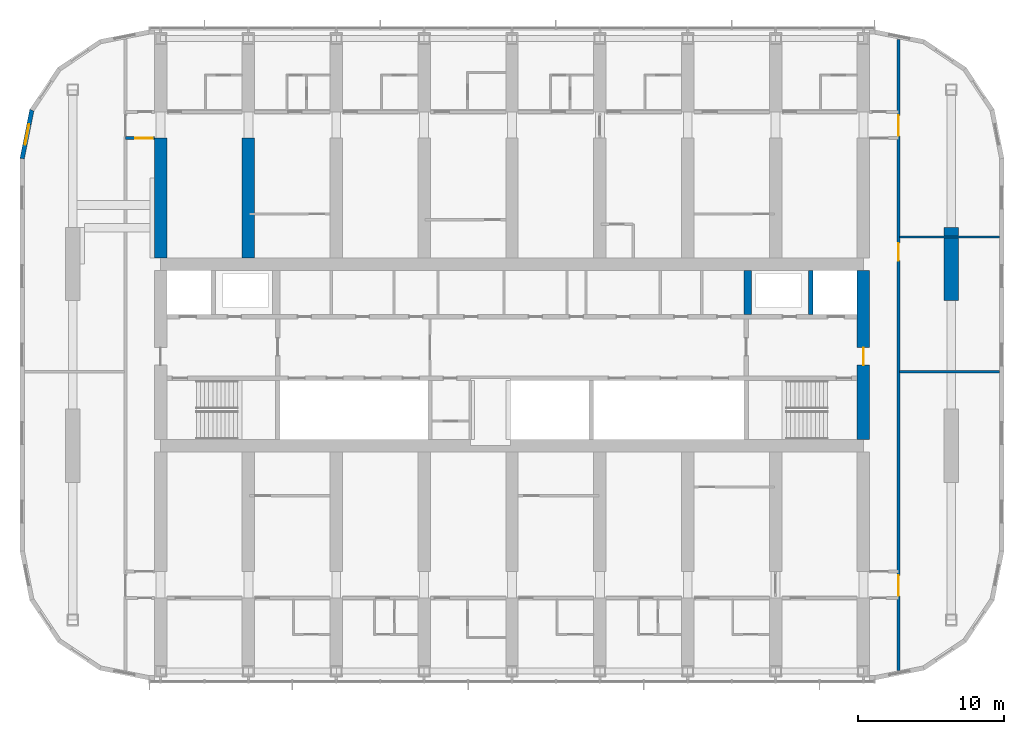
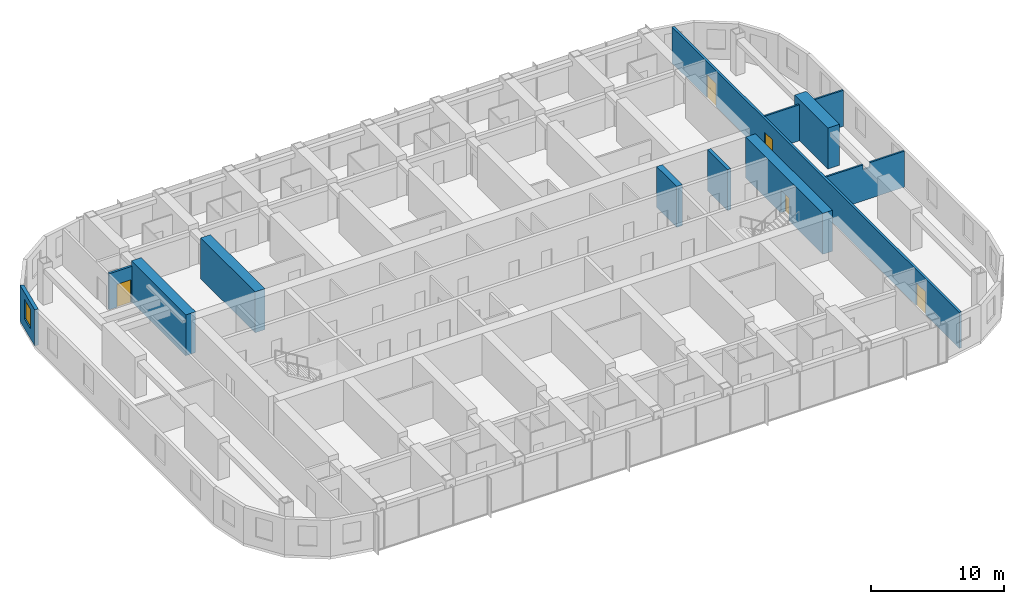
# One storey, part 14 of 22: 11 walls, 5 doors, 1 window, 6 openings.
"""IFC4 building model written with IfcOpenShell, lengths in metres."""

from ifc_helpers import new_model, si_unit, direction, frame, frame_2d, origin, place, context, subcontext, project, spatial, polyline, rectangle, outline, extrude, material, layer, layer_set, type_object, element, fill, save


model = new_model("IFC4")

# Units and contexts
model_context = context("Model", 3, precision=1e-05, world=origin(), true_north=direction((0.0, 1.0)))
body_context = subcontext(model_context, "Body", "Model", "MODEL_VIEW")
ifc_project = project(units=[si_unit("LENGTHUNIT", "METRE"), si_unit("AREAUNIT", "SQUARE_METRE"), si_unit("VOLUMEUNIT", "CUBIC_METRE"), si_unit("PLANEANGLEUNIT", "RADIAN"), si_unit("MASSUNIT", "GRAM", prefix="KILO")], contexts=[model_context])

# Site, building, storey
site_placement = place(None, origin())
site = spatial("IfcSite", under=ifc_project, at=site_placement, CompositionType="ELEMENT")
building_placement = place(site_placement, origin())
building = spatial("IfcBuilding", under=site, at=building_placement, Name="Orbita Commons", CompositionType="ELEMENT")
storey_placement = place(building_placement, frame((0.0, 0.0, 144.85009765625)))
storey = spatial("IfcBuildingStorey", under=building, at=storey_placement, Name="L35", CompositionType="ELEMENT", Elevation=144.85009765625)

# Walls
ifc_material_1 = material(Name="Concrete C50/60", Category="concrete")
ifc_layer_1 = layer(ifc_material_1, 0.300048828125)
ifc_layer_set_1 = layer_set([ifc_layer_1], Name="Concrete C50/60")
wall_type_1 = type_object("IfcWallType", Name="Core inner wall 300 C50/60", PredefinedType="SHEAR", material=ifc_layer_set_1)
wall_1_placement = place(storey_placement, frame((62.39990234375, 34.75, 0.0), z_axis=(0.0, 0.0, 1.0), x_axis=(0.0, 1.0, 0.0)))
element("IfcWall", 1, at=wall_1_placement, inside=storey, type_object=wall_type_1, Name="Firefighting lift FL2 shaft wall L35", PredefinedType="SHEAR", context=body_context, shape_type="SweptSolid", body=[
    extrude(rectangle(XDim=3.02490234375, YDim=0.300048828125, at=frame_2d((1.512451171875, 0.0))), origin(), (0.0, 0.0, 1.0), 3.75),
])
ifc_material_2 = material(Name="Concrete C50/60", Category="concrete")
ifc_layer_2 = layer(ifc_material_2, 0.5)
ifc_layer_set_2 = layer_set([ifc_layer_2], Name="Concrete C50/60")
wall_type_2 = type_object("IfcWallType", Name="Core inner wall 500 C50/60", PredefinedType="SHEAR", material=ifc_layer_set_2)
wall_2_placement = place(storey_placement, frame((58.10009765625, 34.75, 0.0), z_axis=(0.0, 0.0, 1.0), x_axis=(0.0, 1.0, 0.0)))
element("IfcWall", 2, at=wall_2_placement, inside=storey, type_object=wall_type_2, Name="Riser wall east L35", PredefinedType="SHEAR", context=body_context, shape_type="SweptSolid", body=[
    extrude(rectangle(XDim=3.02490234375, YDim=0.5, at=frame_2d((1.512451171875, 0.0))), origin(), (0.0, 0.0, 1.0), 3.75),
])

# Wall, opening, door
ifc_material_3 = material(Name="Concrete C50/60", Category="concrete")
ifc_layer_3 = layer(ifc_material_3, 0.85009765625)
ifc_layer_set_3 = layer_set([ifc_layer_3], Name="Concrete C50/60")
wall_type_3 = type_object("IfcWallType", Name="Core wall 850 C50/60", PredefinedType="SHEAR", material=ifc_layer_set_3)
wall_3_placement = place(storey_placement, frame((66.0, 26.22509765625, 0.0), z_axis=(0.0, 0.0, 1.0), x_axis=(0.0, 1.0, 0.0)))
wall_3 = element("IfcWall", 3, at=wall_3_placement, inside=storey, type_object=wall_type_3, Name="Core end wall east L35", PredefinedType="SHEAR", context=body_context, shape_type="SweptSolid", body=[
    extrude(rectangle(XDim=11.5498046875, YDim=0.85009765625, at=frame_2d((5.77490234375, 0.0))), origin(), (0.0, 0.0, 1.0), 3.75),
])
opening_1_placement = place(wall_3_placement, frame((5.074951171875, 0.0, 0.0)))
opening_1 = element("IfcOpeningElement", 4, at=opening_1_placement, cuts=wall_3, Name="Opening D01", PredefinedType="OPENING", context=body_context, shape_type="SweptSolid", body=[
    extrude(rectangle(XDim=1.199951171875, YDim=2.10009765625, at=frame_2d((0.60009765625, 1.050048828125))), frame((0.0, 0.43505859375, 0.0), z_axis=(0.0, -1.0, 0.0), x_axis=(1.0, 0.0, 0.0)), (0.0, 0.0, 1.0), 0.8701171875),
])
ifc_material_4 = material(Name="Steel-faced fire door leaf", Category="steel")
door_type_1 = type_object("IfcDoorType", Name="Fire door 90 min 1200x2100", OperationType="SINGLE_SWING_LEFT", PredefinedType="DOOR", material=ifc_material_4)
door_1_placement = place(opening_1_placement, origin())
door_1 = element("IfcDoor", 5, at=door_1_placement, inside=storey, type_object=door_type_1, Name="Firefighting lobby east door", OperationType="SINGLE_SWING_LEFT", OverallHeight=2.10009765625, OverallWidth=1.199951171875, PredefinedType="DOOR", context=body_context, shape_type="SweptSolid", body=[
    extrude(rectangle(XDim=1.199951171875, YDim=2.10009765625, at=frame_2d((0.60009765625, 1.050048828125))), frame((0.0, 0.02490234375, 0.0), z_axis=(0.0, -1.0, 0.0), x_axis=(1.0, 0.0, 0.0)), (0.0, 0.0, 1.0), 0.050048828125),
])
fill(opening_1, door_1)

# Wall, openings, doors
ifc_material_5 = material(Name="Concrete blockwork", Category="masonry")
ifc_layer_4 = layer(ifc_material_5, 0.199951171875)
ifc_layer_set_4 = layer_set([ifc_layer_4], Name="Concrete blockwork")
wall_type_4 = type_object("IfcWallType", Name="Corridor wall 200 blockwork", PredefinedType="SOLIDWALL", material=ifc_layer_set_4)
wall_4_placement = place(storey_placement, frame((68.39990234375, 10.4462890625, 0.0), z_axis=(0.0, 0.0, 1.0), x_axis=(0.0, 1.0, 0.0)))
wall_4 = element("IfcWall", 6, at=wall_4_placement, inside=storey, type_object=wall_type_4, Name="Corridor wall 200 blockwork L35", PredefinedType="SOLIDWALL", context=body_context, shape_type="SweptSolid", body=[
    extrude(rectangle(XDim=43.107421875, YDim=0.199951171875, at=frame_2d((21.5537109375, 0.0))), origin(), (0.0, 0.0, 1.0), 3.2998046875),
])
opening_2_placement = place(wall_4_placement, frame((27.993896484375, 0.0, 0.0)))
opening_2 = element("IfcOpeningElement", 7, at=opening_2_placement, cuts=wall_4, Name="Opening D15", PredefinedType="OPENING", context=body_context, shape_type="SweptSolid", body=[
    extrude(rectangle(XDim=1.199951171875, YDim=2.10009765625, at=frame_2d((0.60009765625, 1.050048828125))), frame((0.0, 0.10986328125, 0.0), z_axis=(0.0, -1.0, 0.0), x_axis=(1.0, 0.0, 0.0)), (0.0, 0.0, 1.0), 0.219970703125),
])
opening_3_placement = place(wall_4_placement, frame((5.103759765625, 0.0, 0.0)))
opening_3 = element("IfcOpeningElement", 8, at=opening_3_placement, cuts=wall_4, Name="Opening D08", PredefinedType="OPENING", context=body_context, shape_type="SweptSolid", body=[
    extrude(rectangle(XDim=1.39990234375, YDim=2.10009765625, at=frame_2d((0.699951171875, 1.050048828125))), frame((0.0, 0.10986328125, 0.0), z_axis=(0.0, -1.0, 0.0), x_axis=(1.0, 0.0, 0.0)), (0.0, 0.0, 1.0), 0.219970703125),
])
opening_4_placement = place(wall_4_placement, frame((36.50390625, 0.0, 0.0)))
opening_4 = element("IfcOpeningElement", 9, at=opening_4_placement, cuts=wall_4, Name="Opening D08", PredefinedType="OPENING", context=body_context, shape_type="SweptSolid", body=[
    extrude(rectangle(XDim=1.39990234375, YDim=2.10009765625, at=frame_2d((0.699951171875, 1.050048828125))), frame((0.0, 0.10986328125, 0.0), z_axis=(0.0, -1.0, 0.0), x_axis=(1.0, 0.0, 0.0)), (0.0, 0.0, 1.0), 0.219970703125),
])
ifc_material_6 = material(Name="Steel-faced fire door leaf", Category="steel")
door_type_2 = type_object("IfcDoorType", Name="Corridor door 20 min 1200x2100", OperationType="SINGLE_SWING_LEFT", PredefinedType="DOOR", material=ifc_material_6)
door_2_placement = place(opening_2_placement, origin())
door_2 = element("IfcDoor", 10, at=door_2_placement, inside=storey, type_object=door_type_2, Name="Study hall door", OperationType="SINGLE_SWING_LEFT", OverallHeight=2.10009765625, OverallWidth=1.199951171875, PredefinedType="DOOR", context=body_context, shape_type="SweptSolid", body=[
    extrude(rectangle(XDim=1.199951171875, YDim=2.10009765625, at=frame_2d((0.60009765625, 1.050048828125))), frame((0.0, 0.02490234375, 0.0), z_axis=(0.0, -1.0, 0.0), x_axis=(1.0, 0.0, 0.0)), (0.0, 0.0, 1.0), 0.050048828125),
])
fill(opening_2, door_2)
ifc_material_7 = material(Name="Steel-faced fire door leaf", Category="steel")
door_type_3 = type_object("IfcDoorType", Name="Double corridor door 20 min 1400x2100", OperationType="DOUBLE_DOOR_SINGLE_SWING", PredefinedType="DOOR", material=ifc_material_7)
door_3_placement = place(opening_3_placement, origin())
door_3 = element("IfcDoor", 11, at=door_3_placement, inside=storey, type_object=door_type_3, Name="Lounge doors", OperationType="DOUBLE_DOOR_SINGLE_SWING", OverallHeight=2.10009765625, OverallWidth=1.39990234375, PredefinedType="DOOR", context=body_context, shape_type="SweptSolid", body=[
    extrude(rectangle(XDim=1.39990234375, YDim=2.10009765625, at=frame_2d((0.699951171875, 1.050048828125))), frame((0.0, 0.02490234375, 0.0), z_axis=(0.0, -1.0, 0.0), x_axis=(1.0, 0.0, 0.0)), (0.0, 0.0, 1.0), 0.050048828125),
])
fill(opening_3, door_3)
door_4_placement = place(opening_4_placement, origin())
door_4 = element("IfcDoor", 12, at=door_4_placement, inside=storey, type_object=door_type_3, Name="Lounge doors", OperationType="DOUBLE_DOOR_SINGLE_SWING", OverallHeight=2.10009765625, OverallWidth=1.39990234375, PredefinedType="DOOR", context=body_context, shape_type="SweptSolid", body=[
    extrude(rectangle(XDim=1.39990234375, YDim=2.10009765625, at=frame_2d((0.699951171875, 1.050048828125))), frame((0.0, 0.02490234375, 0.0), z_axis=(0.0, -1.0, 0.0), x_axis=(1.0, 0.0, 0.0)), (0.0, 0.0, 1.0), 0.050048828125),
])
fill(opening_4, door_4)

# Wall, opening, door
ifc_material_8 = material(Name="Hollow concrete block 200", Category="concrete")
ifc_layer_5 = layer(ifc_material_8, 0.199951171875)
ifc_layer_set_5 = layer_set([ifc_layer_5], Name="Hollow concrete block 200")
wall_type_5 = type_object("IfcWallType", Name="Corridor wall 200 hollow concrete block", PredefinedType="SOLIDWALL", material=ifc_layer_set_5)
wall_5_placement = place(storey_placement, frame((15.60009765625, 46.800048828125, 0.0), z_axis=(0.0, 0.0, 1.0), x_axis=(1.0, 0.0, 0.0)))
wall_5 = element("IfcWall", 13, at=wall_5_placement, inside=storey, type_object=wall_type_5, Name="Corridor wall 200 hollow concrete block L35", PredefinedType="SOLIDWALL", context=body_context, shape_type="SweptSolid", body=[
    extrude(rectangle(XDim=1.974853515625, YDim=0.199951171875, at=frame_2d((0.9873046875, 0.0))), origin(), (0.0, 0.0, 1.0), 3.2998046875),
])
opening_5_placement = place(wall_5_placement, frame((0.675048828125, 0.0, 0.0)))
opening_5 = element("IfcOpeningElement", 14, at=opening_5_placement, cuts=wall_5, Name="Opening D12", PredefinedType="OPENING", context=body_context, shape_type="SweptSolid", body=[
    extrude(rectangle(XDim=1.199951171875, YDim=2.10009765625, at=frame_2d((0.60009765625, 1.050048828125))), frame((0.0, 0.10986328125, 0.0), z_axis=(0.0, -1.0, 0.0), x_axis=(1.0, 0.0, 0.0)), (0.0, 0.0, 1.0), 0.219970703125),
])
ifc_material_9 = material(Name="Steel-faced fire door leaf", Category="steel")
door_type_4 = type_object("IfcDoorType", Name="Double corridor door 20 min 1200x2100", OperationType="DOUBLE_DOOR_SINGLE_SWING", PredefinedType="DOOR", material=ifc_material_9)
door_5_placement = place(opening_5_placement, origin())
door_5 = element("IfcDoor", 15, at=door_5_placement, inside=storey, type_object=door_type_4, Name="Cross corridor doors", OperationType="DOUBLE_DOOR_SINGLE_SWING", OverallHeight=2.10009765625, OverallWidth=1.199951171875, PredefinedType="DOOR", context=body_context, shape_type="SweptSolid", body=[
    extrude(rectangle(XDim=1.199951171875, YDim=2.10009765625, at=frame_2d((0.60009765625, 1.050048828125))), frame((0.0, 0.02490234375, 0.0), z_axis=(0.0, -1.0, 0.0), x_axis=(1.0, 0.0, 0.0)), (0.0, 0.0, 1.0), 0.050048828125),
])
fill(opening_5, door_5)

# Walls
ifc_material_10 = material(Name="Concrete C50/60", Category="concrete")
ifc_layer_6 = layer(ifc_material_10, 0.85009765625)
ifc_layer_set_6 = layer_set([ifc_layer_6], Name="Concrete C50/60")
wall_type_6 = type_object("IfcWallType", Name="Cross wall 850 C50/60", PredefinedType="SHEAR", material=ifc_layer_set_6)
for number, where, z_axis, x_axis, name in (
    (16, (18.0, 38.625, 0.0), (0.0, 0.0, 1.0), (0.0, 1.0, 0.0), "Cross wall 4 north inner L35"),
    (17, (24.0, 38.625, 0.0), (0.0, 0.0, 1.0), (0.0, 1.0, 0.0), "Cross wall 5 north inner L35"),
):
    element("IfcWall", number, at=place(storey_placement, frame(where, z_axis=z_axis, x_axis=x_axis)), inside=storey, type_object=wall_type_6, Name=name, PredefinedType="SHEAR", context=body_context, shape_type="SweptSolid", body=[
        extrude(rectangle(XDim=8.175048828125, YDim=0.85009765625, at=frame_2d((4.08740234375, 0.0))), origin(), (0.0, 0.0, 1.0), 3.75),
    ])
ifc_material_11 = material(Name="Concrete C50/60", Category="concrete")
ifc_layer_7 = layer(ifc_material_11, 1.0)
ifc_layer_set_7 = layer_set([ifc_layer_7], Name="Concrete C50/60")
wall_type_7 = type_object("IfcWallType", Name="End pier 1000x5000 C50/60", PredefinedType="SHEAR", material=ifc_layer_set_7)
wall_6_placement = place(storey_placement, frame((72.0, 35.699951171875, 0.0), z_axis=(0.0, 0.0, 1.0), x_axis=(0.0, 1.0, 0.0)))
element("IfcWall", 18, at=wall_6_placement, inside=storey, type_object=wall_type_7, Name="End pier 13/D L35", PredefinedType="SHEAR", context=body_context, shape_type="SweptSolid", body=[
    extrude(rectangle(XDim=5.0, YDim=1.0, at=frame_2d((2.5, 0.0))), origin(), (0.0, 0.0, 1.0), 3.75),
])
ifc_material_12 = material(Name="Gypsum plasterboard on steel studs", Category="steel")
ifc_layer_8 = layer(ifc_material_12, 0.14990234375)
ifc_layer_set_8 = layer_set([ifc_layer_8], Name="Gypsum plasterboard on steel studs")
wall_type_8 = type_object("IfcWallType", Name="Partition 150 plasterboard", PredefinedType="PARTITIONING", material=ifc_layer_set_8)
wall_7_placement = place(storey_placement, frame((68.47509765625, 30.85009765625, 0.0), z_axis=(0.0, 0.0, 1.0), x_axis=(1.0, 0.0, 0.0)))
element("IfcWall", 19, at=wall_7_placement, inside=storey, type_object=wall_type_8, Name="Partition 150 plasterboard L35", PredefinedType="PARTITIONING", context=body_context, shape_type="SweptSolid", body=[
    extrude(outline(polyline([(0.0, 0.0), (6.81982421875, 0.0), (6.820068359375, 3.2998046875), (3.826904296875, 3.2998046875), (3.824951171875, 2.849853515625), (3.22705078125, 2.849853515625), (3.22509765625, 3.2998046875), (0.0, 3.2998046875), (0.0, 0.0)])), frame((0.0, 0.074951171875, 0.0), z_axis=(0.0, -1.0, 0.0), x_axis=(1.0, 0.0, 0.0)), (0.0, 0.0, 1.0), 0.14990234375),
])
wall_8_placement = place(storey_placement, frame((68.47509765625, 40.0400390625, 0.0), z_axis=(0.0, 0.0, 1.0), x_axis=(1.0, 0.0, 0.0)))
element("IfcWall", 20, at=wall_8_placement, inside=storey, type_object=wall_type_8, Name="Partition 150 plasterboard L35", PredefinedType="PARTITIONING", context=body_context, shape_type="SweptSolid", body=[
    extrude(rectangle(XDim=6.81982421875, YDim=0.14990234375, at=frame_2d((3.409912109375, 0.0))), origin(), (0.0, 0.0, 1.0), 3.2998046875),
])

# Wall, opening, window
ifc_material_13 = material(Name="Precast concrete C40/50, white board-marked finish", Category="concrete")
ifc_layer_9 = layer(ifc_material_13, 0.300048828125)
ifc_layer_set_9 = layer_set([ifc_layer_9], Name="Precast concrete C40/50, white board-marked finish")
wall_type_9 = type_object("IfcWallType", Name="Precast concrete end shield 300", PredefinedType="SOLIDWALL", material=ifc_layer_set_9)
wall_9_placement = place(storey_placement, frame((9.20849609375, 48.710205078125, 0.0), z_axis=(0.0, 0.0, 1.0), x_axis=(-0.19508664885, -0.980786011034, 0.0)))
wall_9 = element("IfcWall", 21, at=wall_9_placement, inside=storey, type_object=wall_type_9, Name="End shield NW chord 4 L35", PredefinedType="SOLIDWALL", context=body_context, shape_type="SweptSolid", body=[
    extrude(outline(polyline([(-0.02978515625, -0.14990234375), (3.39013671875, -0.14990234375), (3.3603515625, 0.14990234375), (0.02978515625, 0.14990234375), (-0.02978515625, -0.14990234375)])), origin(), (0.0, 0.0, 1.0), 3.2998046875),
])
opening_6_placement = place(wall_9_placement, frame((0.987548828125, 0.0, 0.89990234375)))
opening_6 = element("IfcOpeningElement", 22, at=opening_6_placement, cuts=wall_9, Name="Opening W02", PredefinedType="OPENING", context=body_context, shape_type="SweptSolid", body=[
    extrude(rectangle(XDim=1.39990234375, YDim=1.800048828125, at=frame_2d((0.699951171875, 0.89990234375))), frame((0.0, 0.159912109375, 0.0), z_axis=(0.0, -1.0, 0.0), x_axis=(1.0, 0.0, 0.0)), (0.0, 0.0, 1.0), 0.320068359375),
])
ifc_material_14 = material(Name="Aluminium frame, clear double glazing", Category="aluminium")
window_type = type_object("IfcWindowType", Name="Deep-set window 1400x1800", PartitioningType="SINGLE_PANEL", PredefinedType="WINDOW", material=ifc_material_14)
window_placement = place(opening_6_placement, origin())
window = element("IfcWindow", 23, at=window_placement, inside=storey, type_object=window_type, Name="Window L35-NW3", OverallHeight=1.800048828125, OverallWidth=1.39990234375, PartitioningType="SINGLE_PANEL", PredefinedType="WINDOW", context=body_context, shape_type="SweptSolid", body=[
    extrude(rectangle(XDim=1.39990234375, YDim=1.800048828125, at=frame_2d((0.699951171875, 0.89990234375))), frame((0.0, 0.030029296875, 0.0), z_axis=(0.0, -1.0, 0.0), x_axis=(1.0, 0.0, 0.0)), (0.0, 0.0, 1.0), 0.06005859375),
])
fill(opening_6, window)

save(model, "model.ifc")
